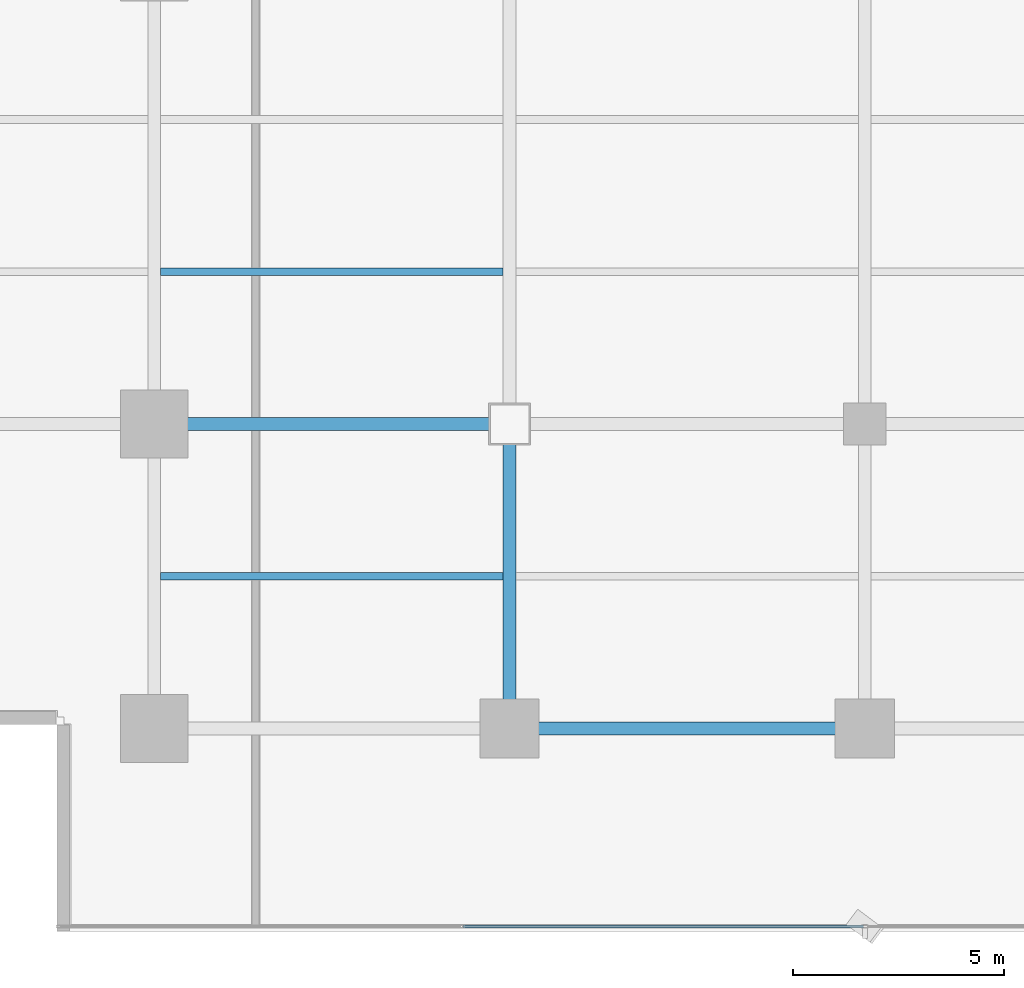
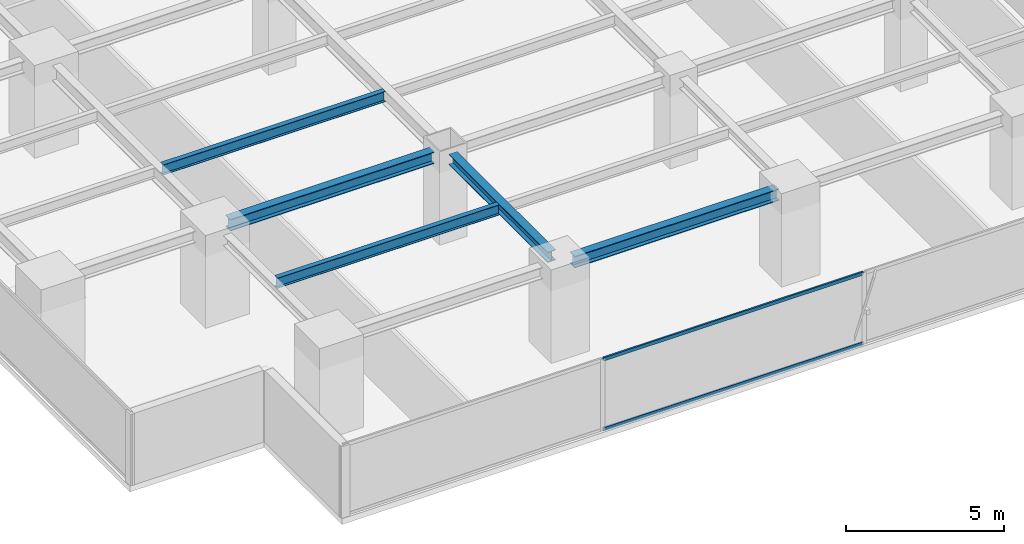
# One storey, part 4 of 27: 5 beams, 2 members, 1 element without a shape of its own.
"""IFC4 building model written with IfcOpenShell, lengths in metres."""

from ifc_helpers import new_model, si_unit, direction, frame, origin, origin_2d, place, context, subcontext, project, spatial, hollow_rectangle, i_section, extrude, source, transform, mapped, material, layer, layer_set, material_profile, profile_set, type_object, element, aggregate, save


model = new_model("IFC4")

# Units and contexts
model_context = context("Model", 3, precision=1e-05, world=origin(), true_north=direction((0.0, 1.0)))
body_context = subcontext(model_context, "Body", "Model", "MODEL_VIEW")
ifc_project = project(units=[si_unit("LENGTHUNIT", "METRE"), si_unit("AREAUNIT", "SQUARE_METRE"), si_unit("VOLUMEUNIT", "CUBIC_METRE"), si_unit("PLANEANGLEUNIT", "RADIAN"), si_unit("MASSUNIT", "GRAM", prefix="KILO")], contexts=[model_context])

# Site, building, storey
site_placement = place(None, origin())
site = spatial("IfcSite", under=ifc_project, at=site_placement, CompositionType="ELEMENT")
building_placement = place(site_placement, origin())
building = spatial("IfcBuilding", under=site, at=building_placement, Name="Sumidabori Civic Tower", CompositionType="ELEMENT")
storey_placement = place(building_placement, frame((0.0, 0.0, 164.0)))
storey = spatial("IfcBuildingStorey", under=building, at=storey_placement, Name="L42", CompositionType="ELEMENT", Elevation=164.0)

# Beams
ifc_material_1 = material(Name="Steel SN490", Category="steel")
ifc_material_profile_1 = material_profile(ifc_material_1, i_section(OverallWidth=0.300048828125, OverallDepth=0.39990234375, WebThickness=0.013427734375, FlangeThickness=0.02392578125, at=origin_2d()), Name="HE 400 B")
ifc_profile_set_1 = profile_set([ifc_material_profile_1], Name="Steel SN490")
beam_type_1 = type_object("IfcBeamType", Name="BM-GIRD-400", PredefinedType="BEAM", material=ifc_profile_set_1)
shared_shape_1 = source(origin(), body_context, "Body", "SweptSolid", [
    extrude(i_section(OverallWidth=0.300048828125, OverallDepth=0.39990234375, WebThickness=0.013427734375, FlangeThickness=0.02392578125, at=origin_2d()), origin(), (0.0, 0.0, 1.0), 6.239990234375),
])
beam_1_placement = place(storey_placement, frame((-8.39990234375, -17.52001953125, 3.179931640625), z_axis=(0.0, 1.0, 0.0), x_axis=(-1.0, 0.0, 0.0)))
element("IfcBeam", 1, at=beam_1_placement, inside=storey, type_object=beam_type_1, Name="Primary Girder L42 GY-26", PredefinedType="BEAM", context=body_context, shape_type="MappedRepresentation", body=[
    mapped(shared_shape_1, transform((0.0, 0.0, 0.0), x_axis=(1.0, 0.0, 0.0), y_axis=(0.0, 1.0, 0.0), z_axis=(0.0, 0.0, 1.0), scale=1.0)),
])
ifc_material_profile_2 = material_profile(ifc_material_1, i_section(OverallWidth=0.179931640625, OverallDepth=0.39990234375, WebThickness=0.008544921875, FlangeThickness=0.013427734375, at=origin_2d()), Name="IPE 400")
ifc_profile_set_2 = profile_set([ifc_material_profile_2], Name="Steel SN490")
beam_type_2 = type_object("IfcBeamType", Name="BM-JST-400", PredefinedType="JOIST", material=ifc_profile_set_2)
shared_shape_2 = source(origin(), body_context, "Body", "SweptSolid", [
    extrude(i_section(OverallWidth=0.179931640625, OverallDepth=0.39990234375, WebThickness=0.008544921875, FlangeThickness=0.013427734375, at=origin_2d()), origin(), (0.0, 0.0, 1.0), 8.099853515625),
])
for number, where, z_axis, x_axis, name in (
    (2, (-16.64990234375, -14.39990234375, 3.179931640625), (1.0, 0.0, 0.0), (0.0, 1.0, 0.0), "South Bay Floor Joist L42 JSTS-49"),
    (3, (-16.64990234375, -7.199951171875, 3.179931640625), (1.0, 0.0, 0.0), (0.0, 1.0, 0.0), "South Bay Floor Joist L42 JSTS-53"),
):
    element("IfcBeam", number, at=place(storey_placement, frame(where, z_axis=z_axis, x_axis=x_axis)), inside=storey, type_object=beam_type_2, Name=name, PredefinedType="JOIST", context=body_context, shape_type="MappedRepresentation", body=[
        mapped(shared_shape_2, transform((0.0, 0.0, 0.0), x_axis=(1.0, 0.0, 0.0), y_axis=(0.0, 1.0, 0.0), z_axis=(0.0, 0.0, 1.0), scale=1.0)),
    ])
ifc_material_profile_3 = material_profile(ifc_material_1, i_section(OverallWidth=0.300048828125, OverallDepth=0.449951171875, WebThickness=0.013916015625, FlangeThickness=0.02587890625, at=origin_2d()), Name="HE 450 B")
ifc_profile_set_3 = profile_set([ifc_material_profile_3], Name="Steel SN490")
beam_type_3 = type_object("IfcBeamType", Name="BM-GIRD-450", PredefinedType="BEAM", material=ifc_profile_set_3)
shared_shape_3 = source(origin(), body_context, "Body", "SweptSolid", [
    extrude(i_section(OverallWidth=0.300048828125, OverallDepth=0.449951171875, WebThickness=0.013916015625, FlangeThickness=0.02587890625, at=origin_2d()), origin(), (0.0, 0.0, 1.0), 7.440185546875),
])
beam_2_placement = place(storey_placement, frame((-16.320068359375, -10.800048828125, 3.155029296875), z_axis=(1.0, 0.0, 0.0), x_axis=(0.0, 1.0, 0.0)))
element("IfcBeam", 4, at=beam_2_placement, inside=storey, type_object=beam_type_3, Name="Primary Girder L42 GX-06", PredefinedType="BEAM", context=body_context, shape_type="MappedRepresentation", body=[
    mapped(shared_shape_3, transform((0.0, 0.0, 0.0), x_axis=(1.0, 0.0, 0.0), y_axis=(0.0, 1.0, 0.0), z_axis=(0.0, 0.0, 1.0), scale=1.0)),
])
shared_shape_4 = source(origin(), body_context, "Body", "SweptSolid", [
    extrude(i_section(OverallWidth=0.300048828125, OverallDepth=0.449951171875, WebThickness=0.013916015625, FlangeThickness=0.02587890625, at=origin_2d()), origin(), (0.0, 0.0, 1.0), 7.43994140625),
])
beam_3_placement = place(storey_placement, frame((-7.919921875, -18.0, 3.155029296875), z_axis=(1.0, 0.0, 0.0), x_axis=(0.0, 1.0, 0.0)))
element("IfcBeam", 5, at=beam_3_placement, inside=storey, type_object=beam_type_3, Name="Primary Girder L42 GX-02", PredefinedType="BEAM", context=body_context, shape_type="MappedRepresentation", body=[
    mapped(shared_shape_4, transform((0.0, 0.0, 0.0), x_axis=(1.0, 0.0, 0.0), y_axis=(0.0, 1.0, 0.0), z_axis=(0.0, 0.0, 1.0), scale=1.0)),
])

# Curtain wall, members
ifc_material_2 = material(Name="Anodised Bronze Aluminium AW-6063-T6", Category="aluminium")
ifc_layer = layer(ifc_material_2, 0.179931640625, Name="Anodised Bronze Aluminium AW-6063-T6")
ifc_layer_set = layer_set([ifc_layer], Name="Anodised Bronze Aluminium AW-6063-T6")
curtain_wall_type = type_object("IfcCurtainWallType", Name="CW-SYS-3", PredefinedType="NOTDEFINED", material=ifc_layer_set)
curtain_wall_placement = place(storey_placement, origin())
curtain_wall = element("IfcCurtainWall", 6, at=curtain_wall_placement, inside=storey, type_object=curtain_wall_type, Name="Curtain Wall CW:L42:R01", PredefinedType="NOTDEFINED")
ifc_material_profile_4 = material_profile(ifc_material_2, hollow_rectangle(XDim=0.06005859375, YDim=0.1298828125, WallThickness=0.0048828125, at=origin_2d()), Name="ALU TRANSOM 130x60")
ifc_profile_set_4 = profile_set([ifc_material_profile_4], Name="Anodised Bronze Aluminium AW-6063-T6")
member_type = type_object("IfcMemberType", Name="CW-TRN-130", PredefinedType="USERDEFINED", material=ifc_profile_set_4)
shared_shape_5 = source(origin(), body_context, "Body", "SweptSolid", [
    extrude(hollow_rectangle(XDim=0.06005859375, YDim=0.1298828125, WallThickness=0.0048828125, at=origin_2d()), origin(), (0.0, 0.0, 1.0), 9.469970703125),
])
member_1_placement = place(storey_placement, frame((-9.50244140625, -22.679931640625, 0.030029296875), z_axis=(1.0, 0.0, 0.0), x_axis=(0.0, 1.0, 0.0)))
member_1 = element("IfcMember", 7, at=member_1_placement, type_object=member_type, Name="CW-3 transom 2.1", ObjectType="TRANSOM", PredefinedType="USERDEFINED", context=body_context, shape_type="MappedRepresentation", body=[
    mapped(shared_shape_5, transform((0.0, 0.0, 0.0), x_axis=(1.0, 0.0, 0.0), y_axis=(0.0, 1.0, 0.0), z_axis=(0.0, 0.0, 1.0), scale=1.0)),
])
member_2_placement = place(storey_placement, frame((-9.50244140625, -22.679931640625, 2.72998046875), z_axis=(1.0, 0.0, 0.0), x_axis=(0.0, 1.0, 0.0)))
member_2 = element("IfcMember", 8, at=member_2_placement, type_object=member_type, Name="CW-3 transom 2.2", ObjectType="TRANSOM", PredefinedType="USERDEFINED", context=body_context, shape_type="MappedRepresentation", body=[
    mapped(shared_shape_5, transform((0.0, 0.0, 0.0), x_axis=(1.0, 0.0, 0.0), y_axis=(0.0, 1.0, 0.0), z_axis=(0.0, 0.0, 1.0), scale=1.0)),
])
aggregate(curtain_wall, [member_1, member_2])

save(model, "model.ifc")
